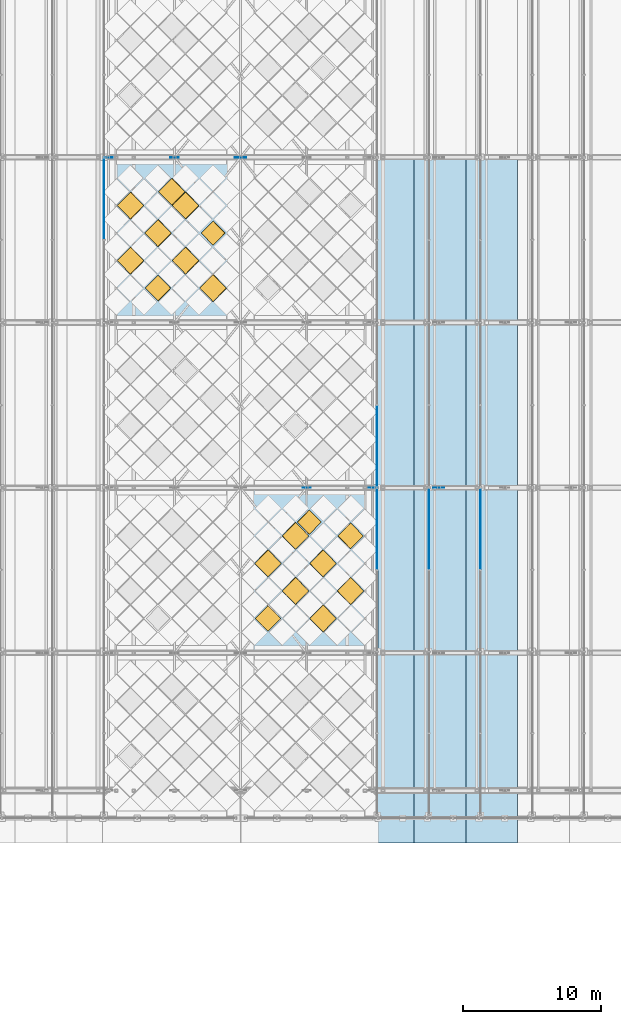
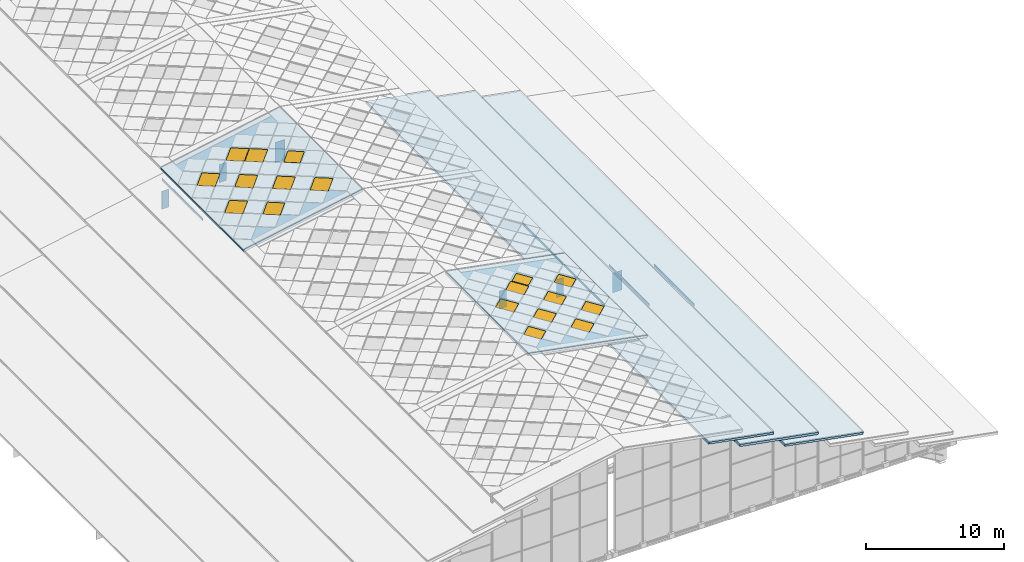
# One storey, part 90 of 117: 18 windows, 11 plates, 5 slabs, 18 openings, 5 elements without a shape of their own.
"""IFC4 building model written with IfcOpenShell, lengths in metres."""

from ifc_helpers import new_model, si_unit, direction, frame, origin, origin_2d, place, context, subcontext, project, spatial, polyline, rectangle, outline, extrude, material, layer, layer_set, type_object, element, fill, aggregate, save


model = new_model("IFC4")

# Units and contexts
model_context = context("Model", 3, precision=1e-05, world=origin(), true_north=direction((0.0, 1.0)))
body_context = subcontext(model_context, "Body", "Model", "MODEL_VIEW")
ifc_project = project(units=[si_unit("LENGTHUNIT", "METRE"), si_unit("AREAUNIT", "SQUARE_METRE"), si_unit("VOLUMEUNIT", "CUBIC_METRE"), si_unit("PLANEANGLEUNIT", "RADIAN"), si_unit("MASSUNIT", "GRAM", prefix="KILO")], contexts=[model_context])

# Site, building, storey
site_placement = place(None, origin())
site = spatial("IfcSite", under=ifc_project, at=site_placement, CompositionType="ELEMENT")
building_placement = place(site_placement, origin())
building = spatial("IfcBuilding", under=site, at=building_placement, Name="Merenkruunu Market Hall", CompositionType="ELEMENT")
storey_placement = place(building_placement, frame((0.0, 0.0, 22.800048828125)))
storey = spatial("IfcBuildingStorey", under=building, at=storey_placement, Name="RF", CompositionType="ELEMENT", Elevation=22.800048828125)

# Curtain wall, plate
ifc_material_1 = material(Name="Powder-coated aluminium", Category="aluminium")
curtain_wall_type = type_object("IfcCurtainWallType", Name="Clerestory Curtain Band CL05", PredefinedType="USERDEFINED", material=ifc_material_1)
curtain_wall_1_placement = place(storey_placement, origin())
curtain_wall_1 = element("IfcCurtainWall", 1, at=curtain_wall_1_placement, inside=storey, type_object=curtain_wall_type, Name="CW-RF-CWM04-098", ObjectType="CLERESTORY_BAND", PredefinedType="USERDEFINED")
ifc_material_2 = material(Name="Triple low-E insulated glass", Category="glass")
ifc_layer_1 = layer(ifc_material_2, 0.035888671875)
ifc_layer_set_1 = layer_set([ifc_layer_1], Name="Triple low-E insulated glass")
plate_type_1 = type_object("IfcPlateType", Name="Curtain Wall Glazing Panel CWP08", PredefinedType="CURTAIN_PANEL", material=ifc_layer_set_1)
plate_1_placement = place(storey_placement, frame((46.239990234375, 36.607421875, -3.822021484375), z_axis=(0.0, 0.0, 1.0), x_axis=(0.0, -1.0, 0.0)))
plate_1 = element("IfcPlate", 2, at=plate_1_placement, type_object=plate_type_1, Name="CL05 panel 1.1", PredefinedType="CURTAIN_PANEL", context=body_context, shape_type="SweptSolid", body=[
    extrude(rectangle(XDim=5.844970703125, YDim=0.035888671875, at=origin_2d()), origin(), (0.0, 0.0, 1.0), 0.22802734375),
])
aggregate(curtain_wall_1, [plate_1])

curtain_wall_2_placement = place(storey_placement, origin())
curtain_wall_2 = element("IfcCurtainWall", 3, at=curtain_wall_2_placement, inside=storey, type_object=curtain_wall_type, Name="CW-RF-CWM04-106", ObjectType="CLERESTORY_BAND", PredefinedType="USERDEFINED")
plate_2_placement = place(storey_placement, frame((42.47998046875, 36.607421875, -2.501953125), z_axis=(0.0, 0.0, 1.0), x_axis=(0.0, -1.0, 0.0)))
plate_2 = element("IfcPlate", 4, at=plate_2_placement, type_object=plate_type_1, Name="CL05 panel 1.1", PredefinedType="CURTAIN_PANEL", context=body_context, shape_type="SweptSolid", body=[
    extrude(rectangle(XDim=5.844970703125, YDim=0.035888671875, at=origin_2d()), origin(), (0.0, 0.0, 1.0), 0.20703125),
])
aggregate(curtain_wall_2, [plate_2])

curtain_wall_3_placement = place(storey_placement, origin())
curtain_wall_3 = element("IfcCurtainWall", 5, at=curtain_wall_3_placement, inside=storey, type_object=curtain_wall_type, Name="CW-RF-CWM04-114", ObjectType="CLERESTORY_BAND", PredefinedType="USERDEFINED")
plate_3_placement = place(storey_placement, frame((38.719970703125, 36.607421875, -1.18212890625), z_axis=(0.0, 0.0, 1.0), x_axis=(0.0, -1.0, 0.0)))
plate_3 = element("IfcPlate", 6, at=plate_3_placement, type_object=plate_type_1, Name="CL05 panel 1.1", PredefinedType="CURTAIN_PANEL", context=body_context, shape_type="SweptSolid", body=[
    extrude(rectangle(XDim=5.844970703125, YDim=0.035888671875, at=origin_2d()), origin(), (0.0, 0.0, 1.0), 0.22802734375),
])
aggregate(curtain_wall_3, [plate_3])

curtain_wall_4_placement = place(storey_placement, origin())
curtain_wall_4 = element("IfcCurtainWall", 7, at=curtain_wall_4_placement, inside=storey, type_object=curtain_wall_type, Name="CW-RF-CWM04-115", ObjectType="CLERESTORY_BAND", PredefinedType="USERDEFINED")
plate_4_placement = place(storey_placement, frame((18.8798828125, 60.58251953125, -1.18212890625), z_axis=(0.0, 0.0, 1.0), x_axis=(0.0, 1.0, 0.0)))
plate_4 = element("IfcPlate", 8, at=plate_4_placement, type_object=plate_type_1, Name="CL05 panel 4.1", PredefinedType="CURTAIN_PANEL", context=body_context, shape_type="SweptSolid", body=[
    extrude(rectangle(XDim=5.89501953125, YDim=0.035888671875, at=origin_2d()), origin(), (0.0, 0.0, 1.0), 0.22802734375),
])
aggregate(curtain_wall_4, [plate_4])

curtain_wall_5_placement = place(storey_placement, origin())
curtain_wall_5 = element("IfcCurtainWall", 9, at=curtain_wall_5_placement, inside=storey, type_object=curtain_wall_type, Name="CW-RF-CWM04-116", ObjectType="CLERESTORY_BAND", PredefinedType="USERDEFINED")
plate_5_placement = place(storey_placement, frame((38.719970703125, 42.617431640625, -1.18212890625), z_axis=(0.0, 0.0, 1.0), x_axis=(0.0, -1.0, 0.0)))
plate_5 = element("IfcPlate", 10, at=plate_5_placement, type_object=plate_type_1, Name="CL05 panel 4.1", PredefinedType="CURTAIN_PANEL", context=body_context, shape_type="SweptSolid", body=[
    extrude(rectangle(XDim=5.89501953125, YDim=0.035888671875, at=origin_2d()), origin(), (0.0, 0.0, 1.0), 0.22802734375),
])
aggregate(curtain_wall_5, [plate_5])

# Slab
ifc_material_3 = material(Name="High-albedo white roof Steel S355ML", Category="steel")
ifc_layer_2 = layer(ifc_material_3, 0.199951171875)
ifc_layer_set_2 = layer_set([ifc_layer_2], Name="High-albedo white roof Steel S355ML")
slab_type_1 = type_object("IfcSlabType", Name="Sloped Or Flat Roof Deck RS01", PredefinedType="ROOF", material=ifc_layer_set_2)
slab_1_placement = place(storey_placement, frame((38.60009765625, 13.800048828125, -1.30419921875), z_axis=(0.182239955012, 0.0, 0.983254086591), x_axis=(0.983254086591, 0.0, -0.182239955012)))
element("IfcSlab", 11, at=slab_1_placement, inside=storey, type_object=slab_type_1, Name="SL-ROOF-V1-TE5-S", PredefinedType="ROOF", context=body_context, shape_type="SweptSolid", body=[
    extrude(outline(polyline([(0.0, 0.0), (6.671535407364279, 0.0), (6.671535407364279, 49.800048828125), (0.0, 49.800048828125), (0.0, 0.0)]), holes=[polyline([(0.5084895781951198, 24.25), (1.8304861193475872, 24.25), (1.8304861193475872, 25.550048828125), (0.5084895781951198, 25.550048828125), (0.5084895781951198, 24.25)])]), origin(), (0.0, 0.0, -1.0), 0.199951171875),
])

# Slab, openings, windows
slab_2_placement = place(storey_placement, frame((28.800048828125, 27.60009765625, 1.800048828125), z_axis=(0.184775267092, 0.0, 0.98278079991), x_axis=(0.98278079991, 0.0, -0.184775267092)))
slab_2 = element("IfcSlab", 12, at=slab_2_placement, inside=storey, type_object=slab_type_1, Name="SL-ROOF-V1-CROWN-E-02", PredefinedType="ROOF", context=body_context, shape_type="SweptSolid", body=[
    extrude(outline(polyline([(0.0, 0.0), (10.175208959027184, 0.0), (10.175208959027184, 12.0), (0.0, 12.0), (0.0, 0.0)])), origin(), (0.0, 0.0, -1.0), 0.199951171875),
])
opening_1_placement = place(slab_2_placement, frame((2.034912109375, 2.5, 0.0), z_axis=(0.0, 0.0, 1.0), x_axis=(0.707106781187, 0.707106781187, 0.0)))
opening_1 = element("IfcOpeningElement", 13, at=opening_1_placement, cuts=slab_2, Name="Opening SK02", PredefinedType="OPENING", context=body_context, shape_type="SweptSolid", body=[
    extrude(rectangle(XDim=1.320068359375, YDim=1.320068359375, at=origin_2d()), frame((0.0, 0.0, 0.014892578125), z_axis=(0.0, 0.0, -1.0), x_axis=(1.0, 0.0, 0.0)), (0.0, 0.0, 1.0), 0.229736328125),
])
opening_2_placement = place(slab_2_placement, frame((2.034912109375, 6.5, 0.0), z_axis=(0.0, 0.0, 1.0), x_axis=(0.707106781187, 0.707106781187, 0.0)))
opening_2 = element("IfcOpeningElement", 14, at=opening_2_placement, cuts=slab_2, Name="Opening SK01", PredefinedType="OPENING", context=body_context, shape_type="SweptSolid", body=[
    extrude(rectangle(XDim=1.3798828125, YDim=1.3798828125, at=origin_2d()), frame((0.0, 0.0, 0.014892578125), z_axis=(0.0, 0.0, -1.0), x_axis=(1.0, 0.0, 0.0)), (0.0, 0.0, 1.0), 0.229736328125),
])
opening_3_placement = place(slab_2_placement, frame((4.070068359375, 4.5, -0.000244140625), z_axis=(0.0, 0.0, 1.0), x_axis=(0.707106781187, 0.707106781187, 0.0)))
opening_3 = element("IfcOpeningElement", 15, at=opening_3_placement, cuts=slab_2, Name="Opening SK01", PredefinedType="OPENING", context=body_context, shape_type="SweptSolid", body=[
    extrude(rectangle(XDim=1.3798828125, YDim=1.3798828125, at=origin_2d()), frame((0.0, 0.0, 0.014892578125), z_axis=(0.0, 0.0, -1.0), x_axis=(1.0, 0.0, 0.0)), (0.0, 0.0, 1.0), 0.229736328125),
])
opening_4_placement = place(slab_2_placement, frame((4.070068359375, 8.5, -0.000244140625), z_axis=(0.0, 0.0, 1.0), x_axis=(0.707106781187, 0.707106781187, 0.0)))
opening_4 = element("IfcOpeningElement", 16, at=opening_4_placement, cuts=slab_2, Name="Opening SK01", PredefinedType="OPENING", context=body_context, shape_type="SweptSolid", body=[
    extrude(rectangle(XDim=1.3798828125, YDim=1.3798828125, at=origin_2d()), frame((0.0, 0.0, 0.014892578125), z_axis=(0.0, 0.0, -1.0), x_axis=(1.0, 0.0, 0.0)), (0.0, 0.0, 1.0), 0.229736328125),
])
opening_5_placement = place(slab_2_placement, frame((5.087646484375, 9.5, 0.0), z_axis=(0.0, 0.0, 1.0), x_axis=(0.707106781187, 0.707106781187, 0.0)))
opening_5 = element("IfcOpeningElement", 17, at=opening_5_placement, cuts=slab_2, Name="Opening SK03", PredefinedType="OPENING", context=body_context, shape_type="SweptSolid", body=[
    extrude(rectangle(XDim=1.239990234375, YDim=1.239990234375, at=origin_2d()), frame((0.0, 0.0, 0.014892578125), z_axis=(0.0, 0.0, -1.0), x_axis=(1.0, 0.0, 0.0)), (0.0, 0.0, 1.0), 0.229736328125),
])
opening_6_placement = place(slab_2_placement, frame((6.105224609375, 2.5, 0.0), z_axis=(0.0, 0.0, 1.0), x_axis=(0.707106781187, 0.707106781187, 0.0)))
opening_6 = element("IfcOpeningElement", 18, at=opening_6_placement, cuts=slab_2, Name="Opening SK01", PredefinedType="OPENING", context=body_context, shape_type="SweptSolid", body=[
    extrude(rectangle(XDim=1.3798828125, YDim=1.3798828125, at=origin_2d()), frame((0.0, 0.0, 0.014892578125), z_axis=(0.0, 0.0, -1.0), x_axis=(1.0, 0.0, 0.0)), (0.0, 0.0, 1.0), 0.229736328125),
])
opening_7_placement = place(slab_2_placement, frame((6.105224609375, 6.5, 0.0), z_axis=(0.0, 0.0, 1.0), x_axis=(0.707106781187, 0.707106781187, 0.0)))
opening_7 = element("IfcOpeningElement", 19, at=opening_7_placement, cuts=slab_2, Name="Opening SK01", PredefinedType="OPENING", context=body_context, shape_type="SweptSolid", body=[
    extrude(rectangle(XDim=1.3798828125, YDim=1.3798828125, at=origin_2d()), frame((0.0, 0.0, 0.014892578125), z_axis=(0.0, 0.0, -1.0), x_axis=(1.0, 0.0, 0.0)), (0.0, 0.0, 1.0), 0.229736328125),
])
opening_8_placement = place(slab_2_placement, frame((8.14013671875, 4.5, 0.0), z_axis=(0.0, 0.0, 1.0), x_axis=(0.707106781187, 0.707106781187, 0.0)))
opening_8 = element("IfcOpeningElement", 20, at=opening_8_placement, cuts=slab_2, Name="Opening SK01", PredefinedType="OPENING", context=body_context, shape_type="SweptSolid", body=[
    extrude(rectangle(XDim=1.3798828125, YDim=1.3798828125, at=origin_2d()), frame((0.0, 0.0, 0.014892578125), z_axis=(0.0, 0.0, -1.0), x_axis=(1.0, 0.0, 0.0)), (0.0, 0.0, 1.0), 0.229736328125),
])
opening_9_placement = place(slab_2_placement, frame((8.14013671875, 8.5, 0.0), z_axis=(0.0, 0.0, 1.0), x_axis=(0.707106781187, 0.707106781187, 0.0)))
opening_9 = element("IfcOpeningElement", 21, at=opening_9_placement, cuts=slab_2, Name="Opening SK02", PredefinedType="OPENING", context=body_context, shape_type="SweptSolid", body=[
    extrude(rectangle(XDim=1.320068359375, YDim=1.320068359375, at=origin_2d()), frame((0.0, 0.0, 0.014892578125), z_axis=(0.0, 0.0, -1.0), x_axis=(1.0, 0.0, 0.0)), (0.0, 0.0, 1.0), 0.229736328125),
])
ifc_material_4 = material(Name="Diamond skylight blue triple glass", Category="glass")
ifc_layer_3 = layer(ifc_material_4, 0.094970703125)
ifc_layer_set_3 = layer_set([ifc_layer_3], Name="Diamond skylight blue triple glass")
window_type_1 = type_object("IfcWindowType", Name="Diamond Roof Skylight SK01", PartitioningType="SINGLE_PANEL", PredefinedType="SKYLIGHT", material=ifc_layer_set_3)
window_1_placement = place(opening_2_placement, origin())
window_1 = element("IfcWindow", 22, at=window_1_placement, inside=storey, type_object=window_type_1, Name="SKY-CROWN-029", OverallHeight=1.3798828125, OverallWidth=1.3798828125, PartitioningType="SINGLE_PANEL", PredefinedType="SKYLIGHT", context=body_context, shape_type="SweptSolid", body=[
    extrude(rectangle(XDim=1.3798828125, YDim=1.3798828125, at=origin_2d()), frame((0.0, 0.0, 0.0), z_axis=(0.0, 0.0, -1.0), x_axis=(1.0, 0.0, 0.0)), (0.0, 0.0, 1.0), 0.094970703125),
])
fill(opening_2, window_1)
window_2_placement = place(opening_3_placement, origin())
window_2 = element("IfcWindow", 23, at=window_2_placement, inside=storey, type_object=window_type_1, Name="SKY-CROWN-030", OverallHeight=1.3798828125, OverallWidth=1.3798828125, PartitioningType="SINGLE_PANEL", PredefinedType="SKYLIGHT", context=body_context, shape_type="SweptSolid", body=[
    extrude(rectangle(XDim=1.3798828125, YDim=1.3798828125, at=origin_2d()), frame((0.0, 0.0, 0.0), z_axis=(0.0, 0.0, -1.0), x_axis=(1.0, 0.0, 0.0)), (0.0, 0.0, 1.0), 0.094970703125),
])
fill(opening_3, window_2)
window_3_placement = place(opening_4_placement, origin())
window_3 = element("IfcWindow", 24, at=window_3_placement, inside=storey, type_object=window_type_1, Name="SKY-CROWN-031", OverallHeight=1.3798828125, OverallWidth=1.3798828125, PartitioningType="SINGLE_PANEL", PredefinedType="SKYLIGHT", context=body_context, shape_type="SweptSolid", body=[
    extrude(rectangle(XDim=1.3798828125, YDim=1.3798828125, at=origin_2d()), frame((0.0, 0.0, 0.0), z_axis=(0.0, 0.0, -1.0), x_axis=(1.0, 0.0, 0.0)), (0.0, 0.0, 1.0), 0.094970703125),
])
fill(opening_4, window_3)
window_4_placement = place(opening_6_placement, origin())
window_4 = element("IfcWindow", 25, at=window_4_placement, inside=storey, type_object=window_type_1, Name="SKY-CROWN-033", OverallHeight=1.3798828125, OverallWidth=1.3798828125, PartitioningType="SINGLE_PANEL", PredefinedType="SKYLIGHT", context=body_context, shape_type="SweptSolid", body=[
    extrude(rectangle(XDim=1.3798828125, YDim=1.3798828125, at=origin_2d()), frame((0.0, 0.0, 0.0), z_axis=(0.0, 0.0, -1.0), x_axis=(1.0, 0.0, 0.0)), (0.0, 0.0, 1.0), 0.094970703125),
])
fill(opening_6, window_4)
window_5_placement = place(opening_7_placement, origin())
window_5 = element("IfcWindow", 26, at=window_5_placement, inside=storey, type_object=window_type_1, Name="SKY-CROWN-034", OverallHeight=1.3798828125, OverallWidth=1.3798828125, PartitioningType="SINGLE_PANEL", PredefinedType="SKYLIGHT", context=body_context, shape_type="SweptSolid", body=[
    extrude(rectangle(XDim=1.3798828125, YDim=1.3798828125, at=origin_2d()), frame((0.0, 0.0, 0.0), z_axis=(0.0, 0.0, -1.0), x_axis=(1.0, 0.0, 0.0)), (0.0, 0.0, 1.0), 0.094970703125),
])
fill(opening_7, window_5)
window_6_placement = place(opening_8_placement, origin())
window_6 = element("IfcWindow", 27, at=window_6_placement, inside=storey, type_object=window_type_1, Name="SKY-CROWN-035", OverallHeight=1.3798828125, OverallWidth=1.3798828125, PartitioningType="SINGLE_PANEL", PredefinedType="SKYLIGHT", context=body_context, shape_type="SweptSolid", body=[
    extrude(rectangle(XDim=1.3798828125, YDim=1.3798828125, at=origin_2d()), frame((0.0, 0.0, 0.0), z_axis=(0.0, 0.0, -1.0), x_axis=(1.0, 0.0, 0.0)), (0.0, 0.0, 1.0), 0.094970703125),
])
fill(opening_8, window_6)
ifc_layer_4 = layer(ifc_material_4, 0.094970703125)
ifc_layer_set_4 = layer_set([ifc_layer_4], Name="Diamond skylight blue triple glass")
window_type_2 = type_object("IfcWindowType", Name="Diamond Roof Skylight SK02", PartitioningType="SINGLE_PANEL", PredefinedType="SKYLIGHT", material=ifc_layer_set_4)
window_7_placement = place(opening_1_placement, origin())
window_7 = element("IfcWindow", 28, at=window_7_placement, inside=storey, type_object=window_type_2, Name="SKY-CROWN-028", OverallHeight=1.320068359375, OverallWidth=1.320068359375, PartitioningType="SINGLE_PANEL", PredefinedType="SKYLIGHT", context=body_context, shape_type="SweptSolid", body=[
    extrude(rectangle(XDim=1.320068359375, YDim=1.320068359375, at=origin_2d()), frame((0.0, 0.0, 0.0), z_axis=(0.0, 0.0, -1.0), x_axis=(1.0, 0.0, 0.0)), (0.0, 0.0, 1.0), 0.094970703125),
])
fill(opening_1, window_7)
window_8_placement = place(opening_9_placement, origin())
window_8 = element("IfcWindow", 29, at=window_8_placement, inside=storey, type_object=window_type_2, Name="SKY-CROWN-036", OverallHeight=1.320068359375, OverallWidth=1.320068359375, PartitioningType="SINGLE_PANEL", PredefinedType="SKYLIGHT", context=body_context, shape_type="SweptSolid", body=[
    extrude(rectangle(XDim=1.320068359375, YDim=1.320068359375, at=origin_2d()), frame((0.0, 0.0, 0.0), z_axis=(0.0, 0.0, -1.0), x_axis=(1.0, 0.0, 0.0)), (0.0, 0.0, 1.0), 0.094970703125),
])
fill(opening_9, window_8)
ifc_layer_5 = layer(ifc_material_4, 0.094970703125)
ifc_layer_set_5 = layer_set([ifc_layer_5], Name="Diamond skylight blue triple glass")
window_type_3 = type_object("IfcWindowType", Name="Roof Smoke Vent Skylight SK03", PartitioningType="SINGLE_PANEL", PredefinedType="SKYLIGHT", material=ifc_layer_set_5)
window_9_placement = place(opening_5_placement, origin())
window_9 = element("IfcWindow", 30, at=window_9_placement, inside=storey, type_object=window_type_3, Name="SKY-CROWN-032", OverallHeight=1.239990234375, OverallWidth=1.239990234375, PartitioningType="SINGLE_PANEL", PredefinedType="SKYLIGHT", context=body_context, shape_type="SweptSolid", body=[
    extrude(rectangle(XDim=1.239990234375, YDim=1.239990234375, at=origin_2d()), frame((0.0, 0.0, 0.0), z_axis=(0.0, 0.0, -1.0), x_axis=(1.0, 0.0, 0.0)), (0.0, 0.0, 1.0), 0.094970703125),
])
fill(opening_5, window_9)

slab_3_placement = place(storey_placement, frame((18.800048828125, 51.60009765625, -0.080078125), z_axis=(-0.184775267092, 0.0, 0.98278079991), x_axis=(0.98278079991, 0.0, 0.184775267092)))
slab_3 = element("IfcSlab", 31, at=slab_3_placement, inside=storey, type_object=slab_type_1, Name="SL-ROOF-V1-CROWN-W-04", PredefinedType="ROOF", context=body_context, shape_type="SweptSolid", body=[
    extrude(outline(polyline([(0.0, 0.0), (10.175208959027184, 0.0), (10.175208959027184, 12.0), (0.0, 12.0), (0.0, 0.0)])), origin(), (0.0, 0.0, -1.0), 0.199951171875),
])
opening_10_placement = place(slab_3_placement, frame((8.14013671875, 2.5, 0.0), z_axis=(0.0, 0.0, 1.0), x_axis=(0.707106781187, 0.707106781187, 0.0)))
opening_10 = element("IfcOpeningElement", 32, at=opening_10_placement, cuts=slab_3, Name="Opening SK01", PredefinedType="OPENING", context=body_context, shape_type="SweptSolid", body=[
    extrude(rectangle(XDim=1.3798828125, YDim=1.3798828125, at=origin_2d()), frame((0.0, 0.0, 0.014892578125), z_axis=(0.0, 0.0, -1.0), x_axis=(1.0, 0.0, 0.0)), (0.0, 0.0, 1.0), 0.229736328125),
])
opening_11_placement = place(slab_3_placement, frame((8.14013671875, 6.5, 0.0), z_axis=(0.0, 0.0, 1.0), x_axis=(0.707106781187, 0.707106781187, 0.0)))
opening_11 = element("IfcOpeningElement", 33, at=opening_11_placement, cuts=slab_3, Name="Opening SK03", PredefinedType="OPENING", context=body_context, shape_type="SweptSolid", body=[
    extrude(rectangle(XDim=1.239990234375, YDim=1.239990234375, at=origin_2d()), frame((0.0, 0.0, 0.014892578125), z_axis=(0.0, 0.0, -1.0), x_axis=(1.0, 0.0, 0.0)), (0.0, 0.0, 1.0), 0.229736328125),
])
opening_12_placement = place(slab_3_placement, frame((6.10498046875, 4.5, -0.000244140625), z_axis=(0.0, 0.0, 1.0), x_axis=(0.707106781187, 0.707106781187, 0.0)))
opening_12 = element("IfcOpeningElement", 34, at=opening_12_placement, cuts=slab_3, Name="Opening SK01", PredefinedType="OPENING", context=body_context, shape_type="SweptSolid", body=[
    extrude(rectangle(XDim=1.3798828125, YDim=1.3798828125, at=origin_2d()), frame((0.0, 0.0, 0.014892578125), z_axis=(0.0, 0.0, -1.0), x_axis=(1.0, 0.0, 0.0)), (0.0, 0.0, 1.0), 0.229736328125),
])
opening_13_placement = place(slab_3_placement, frame((6.10498046875, 8.5, -0.000244140625), z_axis=(0.0, 0.0, 1.0), x_axis=(0.707106781187, 0.707106781187, 0.0)))
opening_13 = element("IfcOpeningElement", 35, at=opening_13_placement, cuts=slab_3, Name="Opening SK01", PredefinedType="OPENING", context=body_context, shape_type="SweptSolid", body=[
    extrude(rectangle(XDim=1.3798828125, YDim=1.3798828125, at=origin_2d()), frame((0.0, 0.0, 0.014892578125), z_axis=(0.0, 0.0, -1.0), x_axis=(1.0, 0.0, 0.0)), (0.0, 0.0, 1.0), 0.229736328125),
])
opening_14_placement = place(slab_3_placement, frame((5.087646484375, 9.5, 0.0), z_axis=(0.0, 0.0, 1.0), x_axis=(0.707106781187, 0.707106781187, 0.0)))
opening_14 = element("IfcOpeningElement", 36, at=opening_14_placement, cuts=slab_3, Name="Opening SK01", PredefinedType="OPENING", context=body_context, shape_type="SweptSolid", body=[
    extrude(rectangle(XDim=1.3798828125, YDim=1.3798828125, at=origin_2d()), frame((0.0, 0.0, 0.014892578125), z_axis=(0.0, 0.0, -1.0), x_axis=(1.0, 0.0, 0.0)), (0.0, 0.0, 1.0), 0.229736328125),
])
opening_15_placement = place(slab_3_placement, frame((4.070068359375, 2.5, 0.0), z_axis=(0.0, 0.0, 1.0), x_axis=(0.707106781187, 0.707106781187, 0.0)))
opening_15 = element("IfcOpeningElement", 37, at=opening_15_placement, cuts=slab_3, Name="Opening SK02", PredefinedType="OPENING", context=body_context, shape_type="SweptSolid", body=[
    extrude(rectangle(XDim=1.320068359375, YDim=1.320068359375, at=origin_2d()), frame((0.0, 0.0, 0.014892578125), z_axis=(0.0, 0.0, -1.0), x_axis=(1.0, 0.0, 0.0)), (0.0, 0.0, 1.0), 0.229736328125),
])
opening_16_placement = place(slab_3_placement, frame((4.070068359375, 6.5, 0.0), z_axis=(0.0, 0.0, 1.0), x_axis=(0.707106781187, 0.707106781187, 0.0)))
opening_16 = element("IfcOpeningElement", 38, at=opening_16_placement, cuts=slab_3, Name="Opening SK01", PredefinedType="OPENING", context=body_context, shape_type="SweptSolid", body=[
    extrude(rectangle(XDim=1.3798828125, YDim=1.3798828125, at=origin_2d()), frame((0.0, 0.0, 0.014892578125), z_axis=(0.0, 0.0, -1.0), x_axis=(1.0, 0.0, 0.0)), (0.0, 0.0, 1.0), 0.229736328125),
])
opening_17_placement = place(slab_3_placement, frame((2.034912109375, 4.5, 0.0), z_axis=(0.0, 0.0, 1.0), x_axis=(0.707106781187, 0.707106781187, 0.0)))
opening_17 = element("IfcOpeningElement", 39, at=opening_17_placement, cuts=slab_3, Name="Opening SK01", PredefinedType="OPENING", context=body_context, shape_type="SweptSolid", body=[
    extrude(rectangle(XDim=1.3798828125, YDim=1.3798828125, at=origin_2d()), frame((0.0, 0.0, 0.014892578125), z_axis=(0.0, 0.0, -1.0), x_axis=(1.0, 0.0, 0.0)), (0.0, 0.0, 1.0), 0.229736328125),
])
opening_18_placement = place(slab_3_placement, frame((2.034912109375, 8.5, 0.0), z_axis=(0.0, 0.0, 1.0), x_axis=(0.707106781187, 0.707106781187, 0.0)))
opening_18 = element("IfcOpeningElement", 40, at=opening_18_placement, cuts=slab_3, Name="Opening SK01", PredefinedType="OPENING", context=body_context, shape_type="SweptSolid", body=[
    extrude(rectangle(XDim=1.3798828125, YDim=1.3798828125, at=origin_2d()), frame((0.0, 0.0, 0.014892578125), z_axis=(0.0, 0.0, -1.0), x_axis=(1.0, 0.0, 0.0)), (0.0, 0.0, 1.0), 0.229736328125),
])
window_10_placement = place(opening_10_placement, origin())
window_10 = element("IfcWindow", 41, at=window_10_placement, inside=storey, type_object=window_type_1, Name="SKY-CROWN-055", OverallHeight=1.3798828125, OverallWidth=1.3798828125, PartitioningType="SINGLE_PANEL", PredefinedType="SKYLIGHT", context=body_context, shape_type="SweptSolid", body=[
    extrude(rectangle(XDim=1.3798828125, YDim=1.3798828125, at=origin_2d()), frame((0.0, 0.0, 0.0), z_axis=(0.0, 0.0, -1.0), x_axis=(1.0, 0.0, 0.0)), (0.0, 0.0, 1.0), 0.094970703125),
])
fill(opening_10, window_10)
window_11_placement = place(opening_12_placement, origin())
window_11 = element("IfcWindow", 42, at=window_11_placement, inside=storey, type_object=window_type_1, Name="SKY-CROWN-057", OverallHeight=1.3798828125, OverallWidth=1.3798828125, PartitioningType="SINGLE_PANEL", PredefinedType="SKYLIGHT", context=body_context, shape_type="SweptSolid", body=[
    extrude(rectangle(XDim=1.3798828125, YDim=1.3798828125, at=origin_2d()), frame((0.0, 0.0, 0.0), z_axis=(0.0, 0.0, -1.0), x_axis=(1.0, 0.0, 0.0)), (0.0, 0.0, 1.0), 0.094970703125),
])
fill(opening_12, window_11)
window_12_placement = place(opening_13_placement, origin())
window_12 = element("IfcWindow", 43, at=window_12_placement, inside=storey, type_object=window_type_1, Name="SKY-CROWN-058", OverallHeight=1.3798828125, OverallWidth=1.3798828125, PartitioningType="SINGLE_PANEL", PredefinedType="SKYLIGHT", context=body_context, shape_type="SweptSolid", body=[
    extrude(rectangle(XDim=1.3798828125, YDim=1.3798828125, at=origin_2d()), frame((0.0, 0.0, 0.0), z_axis=(0.0, 0.0, -1.0), x_axis=(1.0, 0.0, 0.0)), (0.0, 0.0, 1.0), 0.094970703125),
])
fill(opening_13, window_12)
window_13_placement = place(opening_14_placement, origin())
window_13 = element("IfcWindow", 44, at=window_13_placement, inside=storey, type_object=window_type_1, Name="SKY-CROWN-059", OverallHeight=1.3798828125, OverallWidth=1.3798828125, PartitioningType="SINGLE_PANEL", PredefinedType="SKYLIGHT", context=body_context, shape_type="SweptSolid", body=[
    extrude(rectangle(XDim=1.3798828125, YDim=1.3798828125, at=origin_2d()), frame((0.0, 0.0, 0.0), z_axis=(0.0, 0.0, -1.0), x_axis=(1.0, 0.0, 0.0)), (0.0, 0.0, 1.0), 0.094970703125),
])
fill(opening_14, window_13)
window_14_placement = place(opening_16_placement, origin())
window_14 = element("IfcWindow", 45, at=window_14_placement, inside=storey, type_object=window_type_1, Name="SKY-CROWN-061", OverallHeight=1.3798828125, OverallWidth=1.3798828125, PartitioningType="SINGLE_PANEL", PredefinedType="SKYLIGHT", context=body_context, shape_type="SweptSolid", body=[
    extrude(rectangle(XDim=1.3798828125, YDim=1.3798828125, at=origin_2d()), frame((0.0, 0.0, 0.0), z_axis=(0.0, 0.0, -1.0), x_axis=(1.0, 0.0, 0.0)), (0.0, 0.0, 1.0), 0.094970703125),
])
fill(opening_16, window_14)
window_15_placement = place(opening_17_placement, origin())
window_15 = element("IfcWindow", 46, at=window_15_placement, inside=storey, type_object=window_type_1, Name="SKY-CROWN-062", OverallHeight=1.3798828125, OverallWidth=1.3798828125, PartitioningType="SINGLE_PANEL", PredefinedType="SKYLIGHT", context=body_context, shape_type="SweptSolid", body=[
    extrude(rectangle(XDim=1.3798828125, YDim=1.3798828125, at=origin_2d()), frame((0.0, 0.0, 0.0), z_axis=(0.0, 0.0, -1.0), x_axis=(1.0, 0.0, 0.0)), (0.0, 0.0, 1.0), 0.094970703125),
])
fill(opening_17, window_15)
window_16_placement = place(opening_18_placement, origin())
window_16 = element("IfcWindow", 47, at=window_16_placement, inside=storey, type_object=window_type_1, Name="SKY-CROWN-063", OverallHeight=1.3798828125, OverallWidth=1.3798828125, PartitioningType="SINGLE_PANEL", PredefinedType="SKYLIGHT", context=body_context, shape_type="SweptSolid", body=[
    extrude(rectangle(XDim=1.3798828125, YDim=1.3798828125, at=origin_2d()), frame((0.0, 0.0, 0.0), z_axis=(0.0, 0.0, -1.0), x_axis=(1.0, 0.0, 0.0)), (0.0, 0.0, 1.0), 0.094970703125),
])
fill(opening_18, window_16)
window_17_placement = place(opening_15_placement, origin())
window_17 = element("IfcWindow", 48, at=window_17_placement, inside=storey, type_object=window_type_2, Name="SKY-CROWN-060", OverallHeight=1.320068359375, OverallWidth=1.320068359375, PartitioningType="SINGLE_PANEL", PredefinedType="SKYLIGHT", context=body_context, shape_type="SweptSolid", body=[
    extrude(rectangle(XDim=1.320068359375, YDim=1.320068359375, at=origin_2d()), frame((0.0, 0.0, 0.0), z_axis=(0.0, 0.0, -1.0), x_axis=(1.0, 0.0, 0.0)), (0.0, 0.0, 1.0), 0.094970703125),
])
fill(opening_15, window_17)
window_18_placement = place(opening_11_placement, origin())
window_18 = element("IfcWindow", 49, at=window_18_placement, inside=storey, type_object=window_type_3, Name="SKY-CROWN-056", OverallHeight=1.239990234375, OverallWidth=1.239990234375, PartitioningType="SINGLE_PANEL", PredefinedType="SKYLIGHT", context=body_context, shape_type="SweptSolid", body=[
    extrude(rectangle(XDim=1.239990234375, YDim=1.239990234375, at=origin_2d()), frame((0.0, 0.0, 0.0), z_axis=(0.0, 0.0, -1.0), x_axis=(1.0, 0.0, 0.0)), (0.0, 0.0, 1.0), 0.094970703125),
])
fill(opening_11, window_18)

# Slabs
ifc_layer_6 = layer(ifc_material_3, 0.179931640625)
ifc_layer_set_6 = layer_set([ifc_layer_6], Name="High-albedo white roof Steel S355ML")
slab_type_2 = type_object("IfcSlabType", Name="Sloped Or Flat Roof Deck RS02", PredefinedType="ROOF", material=ifc_layer_set_6)
slab_4_placement = place(storey_placement, frame((42.360107421875, 13.800048828125, -2.624267578125), z_axis=(0.182239955012, 0.0, 0.983254086591), x_axis=(0.983254086591, 0.0, -0.182239955012)))
element("IfcSlab", 50, at=slab_4_placement, inside=storey, type_object=slab_type_2, Name="SL-ROOF-V1-TE4-S", PredefinedType="ROOF", context=body_context, shape_type="SweptSolid", body=[
    extrude(outline(polyline([(0.0, 0.0), (6.671535407364279, 0.0), (6.671535407364279, 49.800048828125), (0.0, 49.800048828125), (0.0, 0.0)]), holes=[polyline([(0.5084895781951198, 24.25), (1.8304416271710706, 24.25), (1.8304416271710706, 25.550048828125), (0.5084895781951198, 25.550048828125), (0.5084895781951198, 24.25)])]), origin(), (0.0, 0.0, -1.0), 0.179931640625),
])
slab_5_placement = place(storey_placement, frame((36.0, 13.800048828125, -0.19921875), z_axis=(0.182221385649, 0.0, 0.983257528124), x_axis=(0.983257528124, 0.0, -0.182221385649)))
element("IfcSlab", 51, at=slab_5_placement, inside=storey, type_object=slab_type_2, Name="SL-ROOF-V1-TE6-S", PredefinedType="ROOF", context=body_context, shape_type="SweptSolid", body=[
    extrude(outline(polyline([(0.0, 0.0), (5.491849479203572, 0.0), (5.491849479203572, 49.80004882812499), (0.0, 49.80004882812499), (0.0, 0.0)]), holes=[polyline([(0.5084895807515987, 24.249999999999996), (1.8307261691989953, 24.249999999999996), (1.8307261691989953, 25.550048828124996), (0.5084895807515987, 25.550048828124996), (0.5084895807515987, 24.249999999999996)])]), origin(), (0.0, 0.0, -1.0), 0.179931640625),
])

# Plates
ifc_material_5 = material(Name="Steel S355ML", Category="steel")
ifc_layer_7 = layer(ifc_material_5, 0.028076171875)
ifc_layer_set_7 = layer_set([ifc_layer_7], Name="Steel S355ML")
plate_type_2 = type_object("IfcPlateType", Name="Truss Gusset Or Cap Plate TN04", PredefinedType="USERDEFINED", material=ifc_layer_set_7)
plate_6_placement = place(storey_placement, frame((43.199951171875, 39.60009765625, -5.005126953125), z_axis=(0.0, 0.0, 1.0), x_axis=(1.0, 0.0, 0.0)))
element("IfcPlate", 52, at=plate_6_placement, inside=storey, type_object=plate_type_2, Name="PLT-AT-3-NODE-09", ObjectType="GUSSET_PLATE", PredefinedType="USERDEFINED", context=body_context, shape_type="SweptSolid", body=[
    extrude(rectangle(XDim=0.800048828125, YDim=0.028076171875, at=origin_2d()), origin(), (0.0, 0.0, 1.0), 1.75),
])
ifc_layer_8 = layer(ifc_material_5, 0.02197265625)
ifc_layer_set_8 = layer_set([ifc_layer_8], Name="Steel S355ML")
plate_type_3 = type_object("IfcPlateType", Name="Truss Gusset Or Cap Plate TN05", PredefinedType="USERDEFINED", material=ifc_layer_set_8)
for number, where, z_axis, x_axis, name in (
    (53, (33.60009765625, 39.60009765625, -3.1181640625), (0.0, 0.0, 1.0), (1.0, 0.0, 0.0), "PLT-AT-3-NODE-07"),
    (54, (38.39990234375, 39.60009765625, -3.7900390625), (0.0, 0.0, 1.0), (1.0, 0.0, 0.0), "PLT-AT-3-NODE-08"),
    (55, (19.199951171875, 63.60009765625, -3.7900390625), (0.0, 0.0, 1.0), (1.0, 0.0, 0.0), "PLT-AT-5-NODE-04"),
    (56, (24.0, 63.60009765625, -3.1181640625), (0.0, 0.0, 1.0), (1.0, 0.0, 0.0), "PLT-AT-5-NODE-05"),
):
    element("IfcPlate", number, at=place(storey_placement, frame(where, z_axis=z_axis, x_axis=x_axis)), inside=storey, type_object=plate_type_3, Name=name, ObjectType="GUSSET_PLATE", PredefinedType="USERDEFINED", context=body_context, shape_type="SweptSolid", body=[
        extrude(rectangle(XDim=0.60009765625, YDim=0.02197265625, at=origin_2d()), origin(), (0.0, 0.0, 1.0), 1.60009765625),
    ])
ifc_layer_9 = layer(ifc_material_5, 0.031982421875)
ifc_layer_set_9 = layer_set([ifc_layer_9], Name="Steel S355ML")
plate_type_4 = type_object("IfcPlateType", Name="Truss Gusset Or Cap Plate TN06", PredefinedType="USERDEFINED", material=ifc_layer_set_9)
plate_7_placement = place(storey_placement, frame((28.800048828125, 63.60009765625, -2.99609375), z_axis=(0.0, 0.0, 1.0), x_axis=(1.0, 0.0, 0.0)))
element("IfcPlate", 57, at=plate_7_placement, inside=storey, type_object=plate_type_4, Name="PLT-AT-5-NODE-06", ObjectType="GUSSET_PLATE", PredefinedType="USERDEFINED", context=body_context, shape_type="SweptSolid", body=[
    extrude(rectangle(XDim=0.85009765625, YDim=0.031982421875, at=origin_2d()), origin(), (0.0, 0.0, 1.0), 1.800048828125),
])

save(model, "model.ifc")
